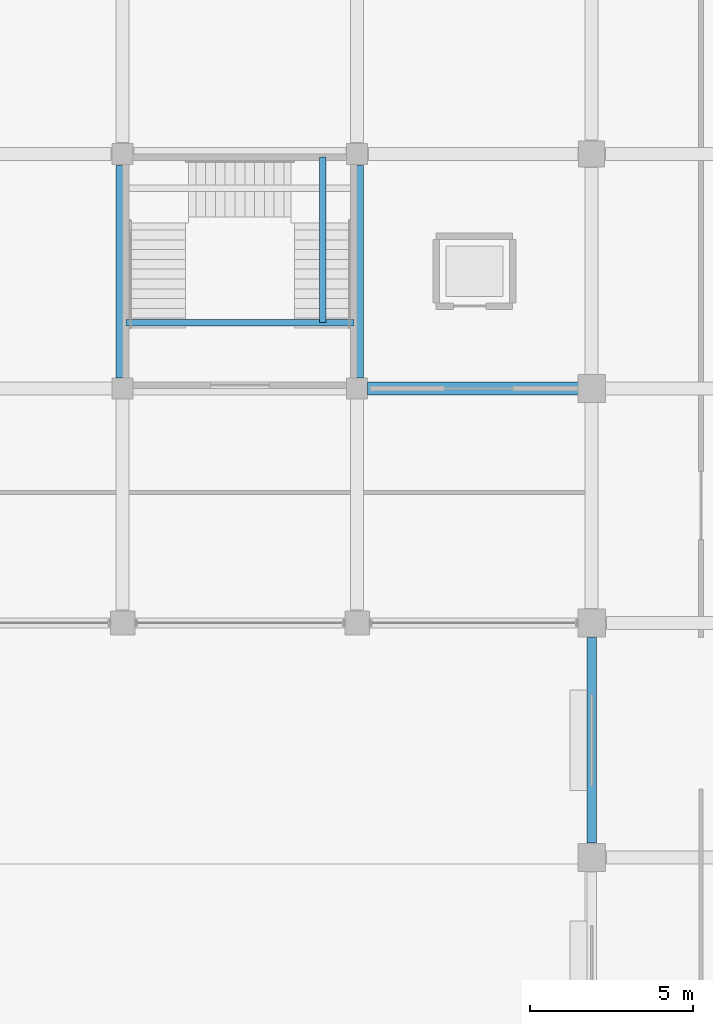
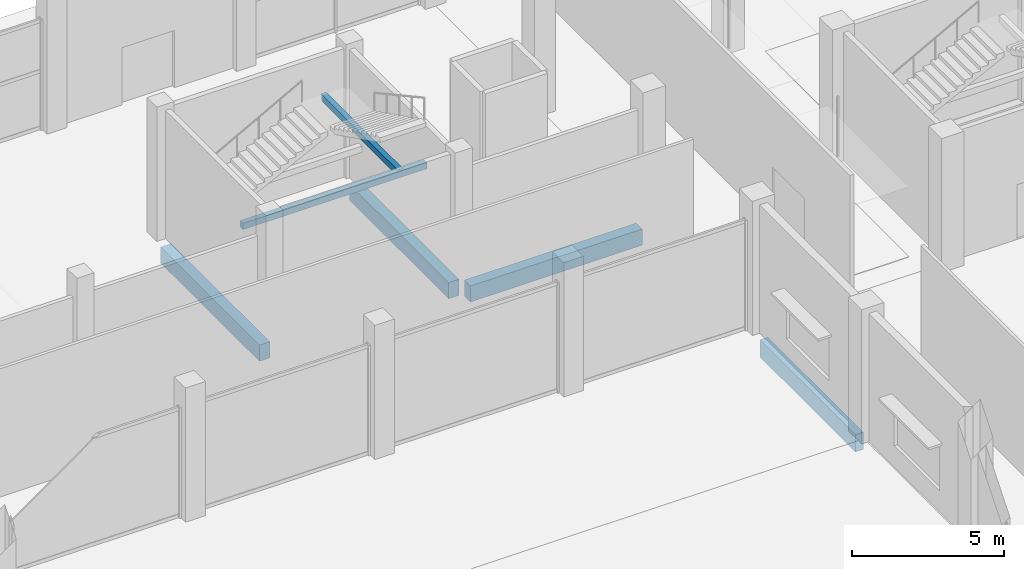
# One storey, part 45 of 90: 6 beams.
"""IFC4 building model written with IfcOpenShell, lengths in metres."""

import ifcopenshell
import ifcopenshell.guid

model = None  # the IFC model being written
_history = None  # IfcOwnerHistory: only IFC2X3 demands one
_inside = {}  # id of a spatial element -> (the spatial element, [elements in it])
_under = {}  # id of a project, library or spatial element -> (it, [spatial elements below it])
_declared = {}  # id of a project -> (the project, [libraries it declares])
_typed = {}  # id of a type object -> (the type object, [elements of that type])
_made_of = {}  # id of a material, layer set ... -> (it, [elements and type objects made of it])


def new_model(schema):
    """Start an empty IFC model of exactly this schema.

    Asked for "IFC4X3", IfcOpenShell would pick the latest addendum, in which some entities
    have other attributes; the version numbers below select the first issue.
    IFC2X3 requires an IfcOwnerHistory on every rooted entity: one is made here for all.
    """
    global model, _history
    if schema == "IFC4X3":
        model = ifcopenshell.file(schema_version=(4, 3, 0, 0))
    else:
        model = ifcopenshell.file(schema=schema)
    _inside.clear()
    _under.clear()
    _declared.clear()
    _typed.clear()
    _made_of.clear()
    _history = None
    if model.schema == "IFC2X3":
        org = make("IfcOrganization", Name="unknown")
        user = make(
            "IfcPersonAndOrganization",
            ThePerson=make("IfcPerson", FamilyName="unknown"),
            TheOrganization=org,
        )
        app = make(
            "IfcApplication",
            ApplicationDeveloper=org,
            Version="unknown",
            ApplicationFullName="unknown",
            ApplicationIdentifier="unknown",
        )
        _history = make(
            "IfcOwnerHistory",
            OwningUser=user,
            OwningApplication=app,
            ChangeAction="ADDED",
            CreationDate=0,
        )
    return model


def make(cls, **values):
    """One entity of the class cls with the attributes given. An attribute that is None is left unset."""
    return model.create_entity(
        cls, **{name: value for name, value in values.items() if value is not None}
    )


def rooted(cls, **values):
    """An entity with a GlobalId (a new one), such as an element, a storey or a relation."""
    return make(cls, GlobalId=ifcopenshell.guid.new(), OwnerHistory=_history, **values)


def si_unit(unit_type, name, prefix=None):
    """IfcSIUnit, for example si_unit("LENGTHUNIT", "METRE", prefix="MILLI")."""
    return make("IfcSIUnit", UnitType=unit_type, Prefix=prefix, Name=name)


def assignment(units):
    """IfcUnitAssignment: the units of a project."""
    return None if units is None else make("IfcUnitAssignment", Units=units)


def point(xyz):
    """IfcCartesianPoint."""
    return None if xyz is None else make("IfcCartesianPoint", Coordinates=xyz)


def direction(xyz):
    """IfcDirection."""
    return None if xyz is None else make("IfcDirection", DirectionRatios=xyz)


def frame(location, z_axis=None, x_axis=None):
    """IfcAxis2Placement3D, a coordinate frame: its origin and axes. An axis left out is left unset."""
    return make(
        "IfcAxis2Placement3D",
        Location=point(location),
        Axis=direction(z_axis),
        RefDirection=direction(x_axis),
    )


def frame_2d(location, x_axis=None):
    """IfcAxis2Placement2D, a coordinate frame in the plane: its origin and x axis."""
    return make(
        "IfcAxis2Placement2D", Location=point(location), RefDirection=direction(x_axis)
    )


def origin():
    """The frame at (0, 0, 0) with its axes left unset."""
    return frame((0.0, 0.0, 0.0))


def origin_2d():
    """The frame at (0, 0) in the plane with its x axis left unset."""
    return frame_2d((0.0, 0.0))


def place(relative_to, where):
    """IfcLocalPlacement: puts the frame where relative to a parent placement (None: the world)."""
    return make(
        "IfcLocalPlacement", PlacementRelTo=relative_to, RelativePlacement=where
    )


def context(
    kind, dimensions, precision=None, world=None, true_north=None, identifier=None
):
    """IfcGeometricRepresentationContext, for example the 3D "Model" context."""
    return make(
        "IfcGeometricRepresentationContext",
        ContextIdentifier=identifier,
        ContextType=kind,
        CoordinateSpaceDimension=dimensions,
        Precision=precision,
        WorldCoordinateSystem=world,
        TrueNorth=true_north,
    )


def subcontext(parent, identifier, kind, view, scale=None):
    """IfcGeometricRepresentationSubContext, for example "Body" below "Model"."""
    return make(
        "IfcGeometricRepresentationSubContext",
        ContextIdentifier=identifier,
        ContextType=kind,
        ParentContext=parent,
        TargetScale=scale,
        TargetView=view,
    )


def project(units=None, contexts=None):
    """IfcProject with its units and contexts."""
    return rooted(
        "IfcProject",
        Name="project",
        RepresentationContexts=contexts,
        UnitsInContext=assignment(units),
    )


def spatial(cls, under=None, at=None, **own):
    """A site, building, storey or space (cls), placed at a placement, below another one or the project."""
    s = rooted(cls, ObjectPlacement=at, **own)
    if under is not None:
        _under.setdefault(under.id(), (under, []))[1].append(s)
    return s


def profile(cls, at=None, kind="AREA", **sizes):
    """A parametric profile (cls). Its sizes go by their IFC names, for example OverallWidth=200.0."""
    return make(cls, ProfileType=kind, Position=at, **sizes)


def rectangle(**sizes):
    """IfcRectangleProfileDef."""
    return profile("IfcRectangleProfileDef", **sizes)


def extrude(swept, where, along, depth):
    """IfcExtrudedAreaSolid: the profile swept, set in the frame where, extruded along a direction by depth."""
    return make(
        "IfcExtrudedAreaSolid",
        SweptArea=swept,
        Position=where,
        ExtrudedDirection=direction(along),
        Depth=depth,
    )


def shape(context_of_items, identifier, shape_type, items):
    """IfcShapeRepresentation: the items that make up one representation, for example the "Body"."""
    return make(
        "IfcShapeRepresentation",
        ContextOfItems=context_of_items,
        RepresentationIdentifier=identifier,
        RepresentationType=shape_type,
        Items=items,
    )


def material(Name=None, Category=None):
    """IfcMaterial."""
    return make("IfcMaterial", Name=Name, Category=Category)


def material_profile(
    of_material, cross_section, Name=None, Category=None, Priority=None
):
    """IfcMaterialProfile: a cross section and its material."""
    return make(
        "IfcMaterialProfile",
        Name=Name,
        Material=of_material,
        Profile=cross_section,
        Priority=Priority,
        Category=Category,
    )


def profile_set(profiles, Name=None, composite=None):
    """IfcMaterialProfileSet."""
    return make(
        "IfcMaterialProfileSet",
        Name=Name,
        MaterialProfiles=profiles,
        CompositeProfile=composite,
    )


def made_of(thing, what):
    """Note that an element or type object is made of a material, layer set ...; save() writes the relation."""
    if what is not None:
        _made_of.setdefault(what.id(), (what, []))[1].append(thing)
    return thing


def type_object(cls, material=None, **own):
    """A type object (cls), such as IfcWallType, which elements share."""
    return made_of(rooted(cls, **own), material)


def element(
    cls,
    number,
    at=None,
    inside=None,
    cuts=None,
    type_object=None,
    material=None,
    context=None,
    identifier="Body",
    shape_type=None,
    held_by="IfcProductDefinitionShape",
    body=None,
    shapes=None,
    **own,
):
    """One element of the class cls, such as IfcWall. Its Tag is "e" and its number.

    at: its placement. inside: the storey or other place that contains it. cuts: it is an
    opening in that element (IfcRelVoidsElement). A single representation is given by context,
    identifier, shape_type and body (its items); several are given by shapes. held_by: the class
    of the entity that holds the representations. save() writes the other relations.
    """
    e = rooted(cls, Tag="e%d" % number, ObjectPlacement=at, **own)
    if body is not None:
        shapes = [shape(context, identifier, shape_type, body)]
    if shapes is not None:
        e.Representation = make(held_by, Representations=shapes)
    if inside is not None:
        _inside.setdefault(inside.id(), (inside, []))[1].append(e)
    if cuts is not None:
        rooted(
            "IfcRelVoidsElement", RelatingBuildingElement=cuts, RelatedOpeningElement=e
        )
    if type_object is not None:
        _typed.setdefault(type_object.id(), (type_object, []))[1].append(e)
    return made_of(e, material)


def aggregate(whole, parts):
    """IfcRelAggregates: a whole, such as a stair, and the parts it consists of."""
    return rooted("IfcRelAggregates", RelatingObject=whole, RelatedObjects=parts)


def save(model, path):
    """Write the relations noted so far, then the file.

    IfcRelAggregates (storeys below a building ...), IfcRelContainedInSpatialStructure (elements
    in a storey), IfcRelDefinesByType, IfcRelAssociatesMaterial and IfcRelDeclares: one each for
    every whole, place, type object, material and project.
    """
    for whole, parts in _under.values():
        aggregate(whole, parts)
    for where, things in _inside.values():
        rooted(
            "IfcRelContainedInSpatialStructure",
            RelatedElements=things,
            RelatingStructure=where,
        )
    for kind, things in _typed.values():
        rooted("IfcRelDefinesByType", RelatedObjects=things, RelatingType=kind)
    for what, things in _made_of.values():
        rooted("IfcRelAssociatesMaterial", RelatedObjects=things, RelatingMaterial=what)
    for by, libraries in _declared.values():
        rooted("IfcRelDeclares", RelatingContext=by, RelatedDefinitions=libraries)
    model.write(path)


model = new_model("IFC4")

# Units and contexts
model_context = context("Model", 3, precision=1e-05, world=origin(), true_north=direction((0.0, 1.0)))
body_context = subcontext(model_context, "Body", "Model", "MODEL_VIEW")
ifc_project = project(units=[si_unit("LENGTHUNIT", "METRE"), si_unit("AREAUNIT", "SQUARE_METRE"), si_unit("VOLUMEUNIT", "CUBIC_METRE"), si_unit("PLANEANGLEUNIT", "RADIAN"), si_unit("MASSUNIT", "GRAM", prefix="KILO")], contexts=[model_context])

# Site, building, storey
site_placement = place(None, origin())
site = spatial("IfcSite", under=ifc_project, at=site_placement, CompositionType="ELEMENT")
building_placement = place(site_placement, origin())
building = spatial("IfcBuilding", under=site, at=building_placement, Name="Kangsadwip Square Police Headquarters", CompositionType="ELEMENT")
storey_placement = place(building_placement, origin())
storey = spatial("IfcBuildingStorey", under=building, at=storey_placement, Name="L00", CompositionType="ELEMENT", Elevation=0.0)

# Beams
ifc_material_1 = material(Name="Concrete M35 (35 MPa)", Category="concrete")
ifc_material_profile_1 = material_profile(ifc_material_1, rectangle(XDim=0.39990234375, YDim=0.64990234375, at=origin_2d()), Name="RC BM 650X400")
ifc_profile_set_1 = profile_set([ifc_material_profile_1], Name="Concrete M35 (35 MPa)")
beam_type_1 = type_object("IfcBeamType", Name="RcBeam650x400", PredefinedType="BEAM", material=ifc_profile_set_1)
beam_1_placement = place(storey_placement, frame((137.125, 100.800048828125, -0.574951171875), z_axis=(1.0, 0.0, 0.0), x_axis=(0.0, 1.0, 0.0)))
element("IfcBeam", 1, at=beam_1_placement, inside=storey, type_object=beam_type_1, Name="Beam BM-L00-X-19-14", PredefinedType="BEAM", context=body_context, shape_type="SweptSolid", body=[
    extrude(rectangle(XDim=0.39990234375, YDim=0.64990234375, at=origin_2d()), origin(), (0.0, 0.0, 1.0), 6.550048828125),
])
for number, where, z_axis, x_axis, name in (
    (2, (129.60009765625, 101.125, -0.574951171875), (0.0, 1.0, 0.0), (-1.0, 0.0, 0.0), "Beam BM-L00-Y-18-14"),
    (3, (136.800048828125, 101.125, -0.574951171875), (0.0, 1.0, 0.0), (-1.0, 0.0, 0.0), "Beam BM-L00-Y-19-14"),
):
    element("IfcBeam", number, at=place(storey_placement, frame(where, z_axis=z_axis, x_axis=x_axis)), inside=storey, type_object=beam_type_1, Name=name, PredefinedType="BEAM", context=body_context, shape_type="SweptSolid", body=[
        extrude(rectangle(XDim=0.39990234375, YDim=0.64990234375, at=origin_2d()), origin(), (0.0, 0.0, 1.0), 6.52490234375),
    ])
ifc_material_2 = material(Name="Concrete M30 (30 MPa)", Category="concrete")
ifc_material_profile_2 = material_profile(ifc_material_2, rectangle(XDim=0.199951171875, YDim=0.25, at=origin_2d()), Name="RC LNT 250X200")
ifc_profile_set_2 = profile_set([ifc_material_profile_2], Name="Concrete M30 (30 MPa)")
beam_type_2 = type_object("IfcBeamType", Name="RcLintel250x200", PredefinedType="LINTEL", material=ifc_profile_set_2)
beam_2_placement = place(storey_placement, frame((129.699951171875, 102.820068359375, 3.455078125), z_axis=(1.0, 0.0, 0.0), x_axis=(0.0, 1.0, 0.0)))
element("IfcBeam", 4, at=beam_2_placement, inside=storey, type_object=beam_type_2, Name="Stair Carriage and Landing Beam BM-ST-L00-070", PredefinedType="BEAM", context=body_context, shape_type="SweptSolid", body=[
    extrude(rectangle(XDim=0.199951171875, YDim=0.25, at=origin_2d()), origin(), (0.0, 0.0, 1.0), 7.0),
])
beam_3_placement = place(storey_placement, frame((135.7451171875, 102.820068359375, 3.455078125), z_axis=(0.0, 1.0, 0.0), x_axis=(-1.0, 0.0, 0.0)))
element("IfcBeam", 5, at=beam_3_placement, inside=storey, type_object=beam_type_2, Name="Stair Carriage and Landing Beam BM-ST-L00-071", PredefinedType="BEAM", context=body_context, shape_type="SweptSolid", body=[
    extrude(rectangle(XDim=0.199951171875, YDim=0.25, at=origin_2d()), origin(), (0.0, 0.0, 1.0), 5.079833984375),
])
ifc_material_3 = material(Name="Concrete M40 (40 MPa)", Category="concrete")
ifc_material_profile_3 = material_profile(ifc_material_3, rectangle(XDim=0.300048828125, YDim=0.699951171875, at=origin_2d()), Name="RC SPN 700X300")
ifc_profile_set_3 = profile_set([ifc_material_profile_3], Name="Concrete M40 (40 MPa)")
beam_type_3 = type_object("IfcBeamType", Name="RcSpandrel700x300", PredefinedType="SPANDREL", material=ifc_profile_set_3)
beam_4_placement = place(storey_placement, frame((144.0, 86.85009765625, -0.60009765625), z_axis=(0.0, 1.0, 0.0), x_axis=(-1.0, 0.0, 0.0)))
element("IfcBeam", 6, at=beam_4_placement, inside=storey, type_object=beam_type_3, Name="Beam BM-L00-Y-20-12", PredefinedType="SPANDREL", context=body_context, shape_type="SweptSolid", body=[
    extrude(rectangle(XDim=0.300048828125, YDim=0.699951171875, at=origin_2d()), origin(), (0.0, 0.0, 1.0), 6.2998046875),
])

save(model, "model.ifc")
